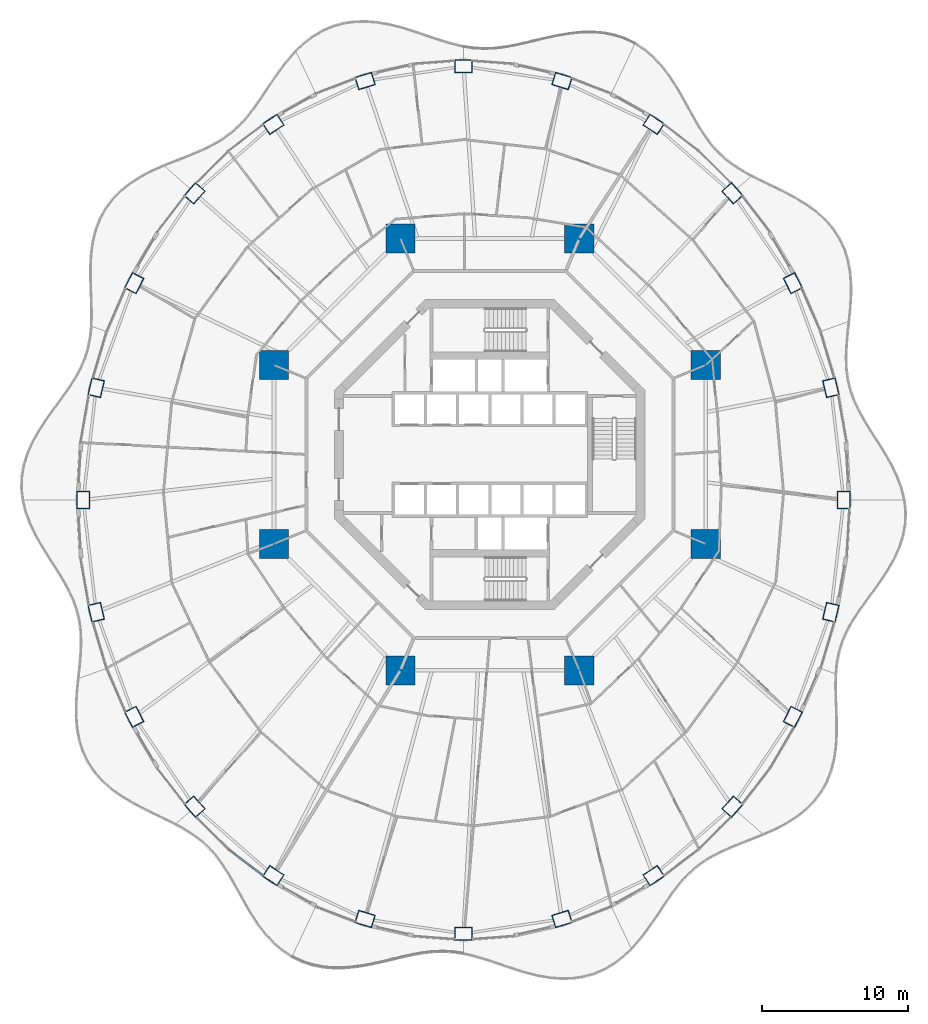
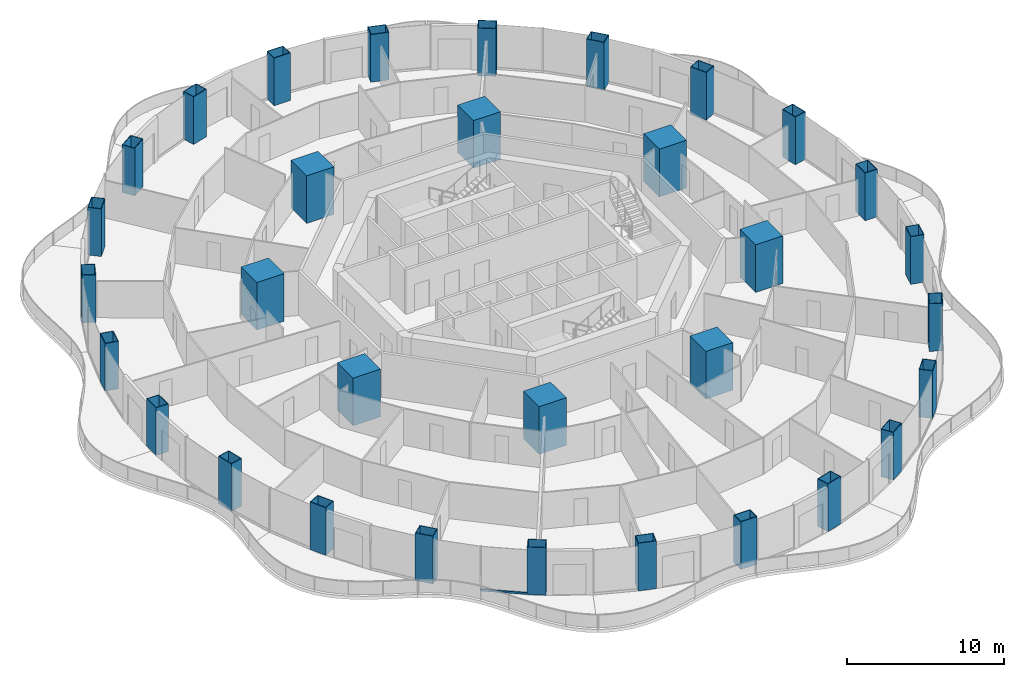
# One storey, part 1 of 19: 32 columns, 1 member, 1 element without a shape of its own.
"""IFC4 building model written with IfcOpenShell, lengths in metres."""

from ifc_helpers import new_model, si_unit, direction, frame, origin, origin_2d, place, context, subcontext, project, spatial, rectangle, hollow_rectangle, extrude, material, layer, layer_set, material_profile, profile_set, type_object, element, aggregate, save


model = new_model("IFC4")

# Units and contexts
model_context = context("Model", 3, precision=1e-05, world=origin(), true_north=direction((0.0, 1.0)))
body_context = subcontext(model_context, "Body", "Model", "MODEL_VIEW")
ifc_project = project(units=[si_unit("LENGTHUNIT", "METRE"), si_unit("AREAUNIT", "SQUARE_METRE"), si_unit("VOLUMEUNIT", "CUBIC_METRE"), si_unit("PLANEANGLEUNIT", "RADIAN"), si_unit("MASSUNIT", "GRAM", prefix="KILO")], contexts=[model_context])

# Site, building, storey
site_placement = place(None, origin())
site = spatial("IfcSite", under=ifc_project, at=site_placement, CompositionType="ELEMENT")
building_placement = place(site_placement, origin())
building = spatial("IfcBuilding", under=site, at=building_placement, Name="Nagisa Residences", CompositionType="ELEMENT")
storey_placement = place(building_placement, frame((0.0, 0.0, 149.199951171875)))
storey = spatial("IfcBuildingStorey", under=building, at=storey_placement, Name="L37", CompositionType="ELEMENT", Elevation=149.199951171875)

# Columns
ifc_material_1 = material(Name="Concrete C80", Category="concrete")
ifc_material_profile_1 = material_profile(ifc_material_1, rectangle(XDim=2.0, YDim=2.0, at=origin_2d()), Name="C80 2000x2000")
ifc_profile_set_1 = profile_set([ifc_material_profile_1], Name="Concrete C80")
column_type_1 = type_object("IfcColumnType", Name="Inner megacolumn C80 2000x2000", PredefinedType="COLUMN", material=ifc_profile_set_1)
for number, where, z_axis, x_axis, name in (
    (1, (14.781982421875, 6.123046875, 0.0), (0.0, 0.0, 1.0), (1.0, 0.0, 0.0), "col:L37:i1"),
    (2, (6.123046875, 14.781982421875, 0.0), (0.0, 0.0, 1.0), (1.0, 0.0, 0.0), "col:L37:i2"),
    (3, (-6.123046875, 14.781982421875, 0.0), (0.0, 0.0, 1.0), (1.0, 0.0, 0.0), "col:L37:i3"),
    (4, (-14.781982421875, 6.123046875, 0.0), (0.0, 0.0, 1.0), (1.0, 0.0, 0.0), "col:L37:i4"),
    (5, (-14.781982421875, -6.123046875, 0.0), (0.0, 0.0, 1.0), (1.0, 0.0, 0.0), "col:L37:i5"),
    (6, (-6.123046875, -14.781982421875, 0.0), (0.0, 0.0, 1.0), (1.0, 0.0, 0.0), "col:L37:i6"),
    (7, (6.123046875, -14.781982421875, 0.0), (0.0, 0.0, 1.0), (1.0, 0.0, 0.0), "col:L37:i7"),
    (8, (14.781982421875, -6.123046875, 0.0), (0.0, 0.0, 1.0), (1.0, 0.0, 0.0), "col:L37:i8"),
):
    element("IfcColumn", number, at=place(storey_placement, frame(where, z_axis=z_axis, x_axis=x_axis)), inside=storey, type_object=column_type_1, Name=name, PredefinedType="COLUMN", context=body_context, shape_type="SweptSolid", body=[
        extrude(rectangle(XDim=2.0, YDim=2.0, at=origin_2d()), origin(), (0.0, 0.0, 1.0), 3.699951171875),
    ])
ifc_material_2 = material(Name="Steel ASTM A572 Gr 50", Category="steel")
ifc_material_profile_2 = material_profile(ifc_material_2, hollow_rectangle(XDim=1.199951171875, YDim=0.89990234375, WallThickness=0.0400390625, at=origin_2d()), Name="BX 1200x900x40")
ifc_profile_set_2 = profile_set([ifc_material_profile_2], Name="Steel ASTM A572 Gr 50")
column_type_2 = type_object("IfcColumnType", Name="Perimeter column BX 1200x900x40", PredefinedType="COLUMN", material=ifc_profile_set_2)
for number, where, z_axis, x_axis, name in (
    (9, (24.235107421875, -3.11767578125, 0.0), (0.0, 0.0, 1.0), (0.0, 1.0, 0.0), "col:L37:p00"),
    (10, (23.347900390625, 4.56787109375, 0.0), (0.0, 0.0, 1.0), (-0.229202013103, 0.973378876486, 0.0), "col:L37:p01"),
    (11, (20.7470703125, 11.729736328125, 0.0), (0.0, 0.0, 1.0), (-0.452462697578, 0.891783329795, 0.0), "col:L37:p02"),
    (12, (16.609619140625, 17.8798828125, 0.0), (0.0, 0.0, 1.0), (-0.660114607735, 0.751164898445, 0.0), "col:L37:p03"),
    (13, (11.217529296875, 22.598876953125, 0.0), (0.0, 0.0, 1.0), (-0.835766105673, 0.54908561865, 0.0), "col:L37:p04"),
    (14, (4.938232421875, 25.5654296875, 0.0), (0.0, 0.0, 1.0), (-0.956524583408, 0.291651712384, 0.0), "col:L37:p05"),
    (15, (-1.800048828125, 26.577392578125, 0.0), (0.0, 0.0, 1.0), (-1.0, 0.0, 0.0), "col:L37:p06"),
    (16, (-8.538330078125, 25.5654296875, 0.0), (0.0, 0.0, 1.0), (-0.956524583408, -0.291651712384, 0.0), "col:L37:p07"),
    (17, (-14.8173828125, 22.598876953125, 0.0), (0.0, 0.0, 1.0), (-0.835766105673, -0.54908561865, 0.0), "col:L37:p08"),
    (18, (-20.20947265625, 17.8798828125, 0.0), (0.0, 0.0, 1.0), (-0.660114607735, -0.751164898445, 0.0), "col:L37:p09"),
    (19, (-24.346923828125, 11.729736328125, 0.0), (0.0, 0.0, 1.0), (-0.452462697578, -0.891783329795, 0.0), "col:L37:p10"),
    (20, (-26.947998046875, 4.56787109375, 0.0), (0.0, 0.0, 1.0), (-0.229202013103, -0.973378876486, 0.0), "col:L37:p11"),
    (21, (-27.8349609375, -3.11767578125, 0.0), (0.0, 0.0, 1.0), (0.0, -1.0, 0.0), "col:L37:p12"),
    (22, (-26.947998046875, -10.80322265625, 0.0), (0.0, 0.0, 1.0), (0.229202013103, -0.973378876486, 0.0), "col:L37:p13"),
    (23, (-24.346923828125, -17.965087890625, 0.0), (0.0, 0.0, 1.0), (0.452462697578, -0.891783329795, 0.0), "col:L37:p14"),
    (24, (-20.20947265625, -24.115234375, 0.0), (0.0, 0.0, 1.0), (0.660114607735, -0.751164898445, 0.0), "col:L37:p15"),
    (25, (-14.8173828125, -28.834228515625, 0.0), (0.0, 0.0, 1.0), (0.835766105673, -0.54908561865, 0.0), "col:L37:p16"),
    (26, (-8.538330078125, -31.80078125, 0.0), (0.0, 0.0, 1.0), (0.956524583408, -0.291651712384, 0.0), "col:L37:p17"),
    (27, (-1.800048828125, -32.812744140625, 0.0), (0.0, 0.0, 1.0), (1.0, 0.0, 0.0), "col:L37:p18"),
    (28, (4.938232421875, -31.80078125, 0.0), (0.0, 0.0, 1.0), (0.956524583408, 0.291651712384, 0.0), "col:L37:p19"),
    (29, (11.217529296875, -28.834228515625, 0.0), (0.0, 0.0, 1.0), (0.835766105673, 0.54908561865, 0.0), "col:L37:p20"),
    (30, (16.609619140625, -24.115234375, 0.0), (0.0, 0.0, 1.0), (0.660114607735, 0.751164898445, 0.0), "col:L37:p21"),
    (31, (20.7470703125, -17.965087890625, 0.0), (0.0, 0.0, 1.0), (0.452462697578, 0.891783329795, 0.0), "col:L37:p22"),
    (32, (23.347900390625, -10.80322265625, 0.0), (0.0, 0.0, 1.0), (0.229202013103, 0.973378876486, 0.0), "col:L37:p23"),
):
    element("IfcColumn", number, at=place(storey_placement, frame(where, z_axis=z_axis, x_axis=x_axis)), inside=storey, type_object=column_type_2, Name=name, PredefinedType="COLUMN", context=body_context, shape_type="SweptSolid", body=[
        extrude(hollow_rectangle(XDim=1.199951171875, YDim=0.89990234375, WallThickness=0.0400390625, at=origin_2d()), origin(), (0.0, 0.0, 1.0), 3.699951171875),
    ])

# Curtain wall, member
ifc_material_3 = material(Name="Concrete-coloured aluminium curtain wall system", Category="concrete")
ifc_layer = layer(ifc_material_3, 0.159912109375)
ifc_layer_set = layer_set([ifc_layer], Name="CW1 CURTAIN WALL")
curtain_wall_type = type_object("IfcCurtainWallType", Name="CW1 CURTAIN WALL", PredefinedType="NOTDEFINED", material=ifc_layer_set)
curtain_wall_placement = place(storey_placement, origin())
curtain_wall = element("IfcCurtainWall", 33, at=curtain_wall_placement, inside=storey, type_object=curtain_wall_type, Name="cw:CW1:L37:31", PredefinedType="NOTDEFINED")
ifc_material_4 = material(Name="Concrete-coloured aluminium", Category="concrete")
ifc_material_profile_3 = material_profile(ifc_material_4, rectangle(XDim=0.1201171875, YDim=0.14990234375, at=origin_2d()), Name="CW1 TRANSOM 120x150")
ifc_profile_set_3 = profile_set([ifc_material_profile_3], Name="Concrete-coloured aluminium")
member_type = type_object("IfcMemberType", Name="CW1 TRANSOM 120x150", PredefinedType="USERDEFINED", material=ifc_profile_set_3)
member_placement = place(storey_placement, frame((-17.905029296875, -27.00927734375, 0.074951171875), z_axis=(0.796022231079, -0.605267385233, 0.0), x_axis=(0.605267385233, 0.796022231079, 0.0)))
member = element("IfcMember", 34, at=member_placement, type_object=member_type, Name="CW1 transom", ObjectType="TRANSOM", PredefinedType="USERDEFINED", context=body_context, shape_type="SweptSolid", body=[
    extrude(rectangle(XDim=0.1201171875, YDim=0.14990234375, at=origin_2d()), origin(), (0.0, 0.0, 1.0), 3.025634765625),
])
aggregate(curtain_wall, [member])

save(model, "model.ifc")
